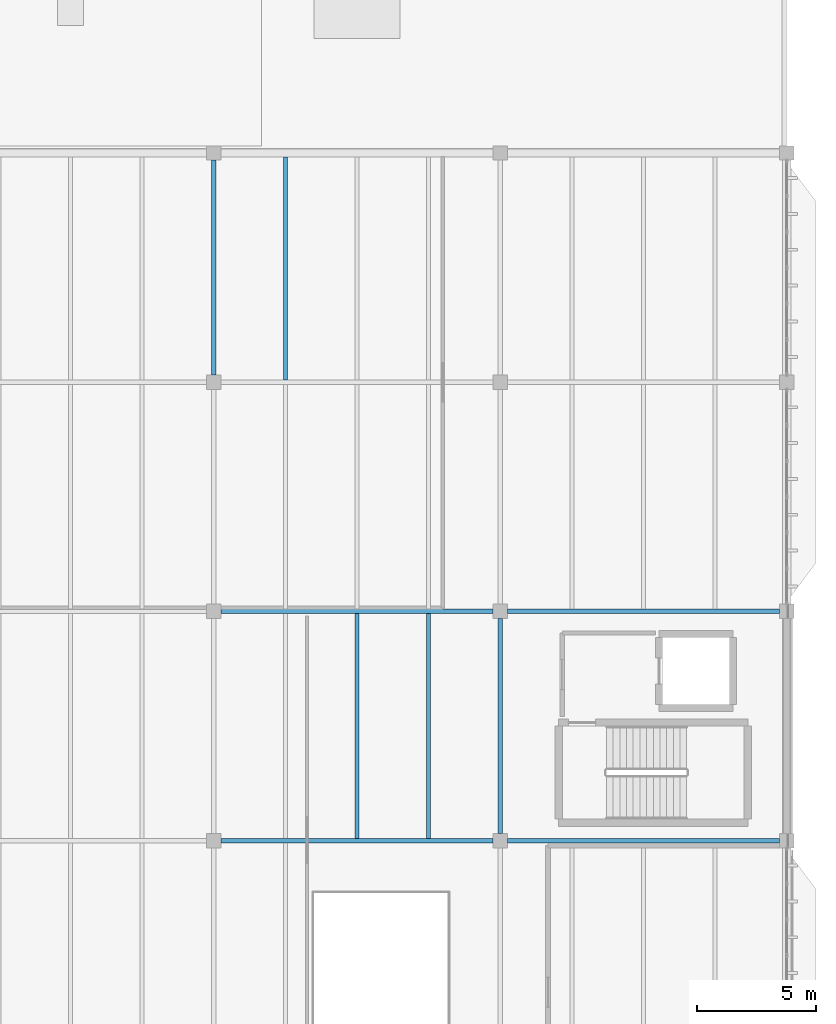
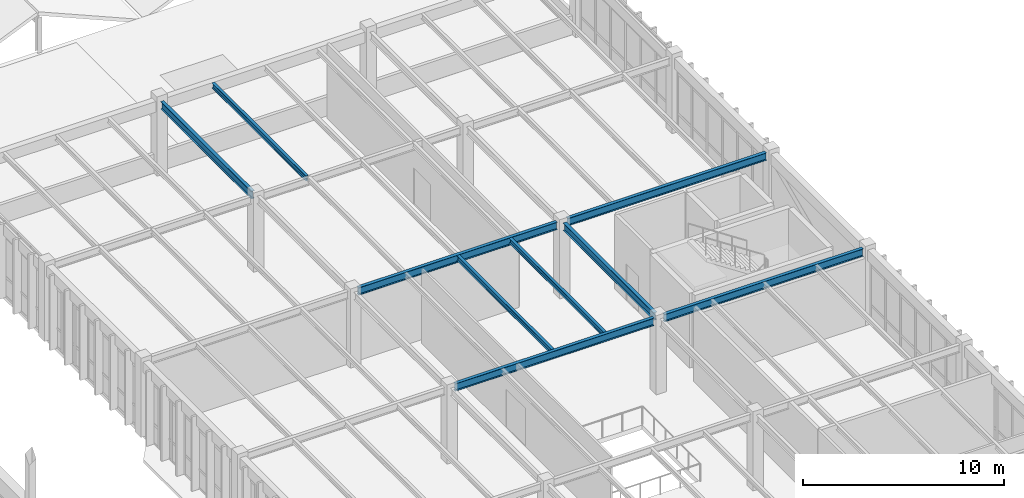
# One storey, part 165 of 236: 9 beams.
"""IFC4 building model written with IfcOpenShell, lengths in metres."""

from ifc_helpers import new_model, si_unit, direction, frame, origin, origin_2d, place, context, subcontext, project, spatial, i_section, extrude, material, material_profile, profile_set, type_object, element, save


model = new_model("IFC4")

# Units and contexts
model_context = context("Model", 3, precision=1e-05, world=origin(), true_north=direction((0.0, 1.0)))
body_context = subcontext(model_context, "Body", "Model", "MODEL_VIEW")
ifc_project = project(units=[si_unit("LENGTHUNIT", "METRE"), si_unit("AREAUNIT", "SQUARE_METRE"), si_unit("VOLUMEUNIT", "CUBIC_METRE"), si_unit("PLANEANGLEUNIT", "RADIAN"), si_unit("MASSUNIT", "GRAM", prefix="KILO")], contexts=[model_context])

# Site, building, storey
site_placement = place(None, origin())
site = spatial("IfcSite", under=ifc_project, at=site_placement, CompositionType="ELEMENT")
building_placement = place(site_placement, origin())
building = spatial("IfcBuilding", under=site, at=building_placement, Name="Pandanus Reach Market Hall", CompositionType="ELEMENT")
storey_placement = place(building_placement, frame((0.0, 0.0, 5.39990234375)))
storey = spatial("IfcBuildingStorey", under=building, at=storey_placement, Name="L01", CompositionType="ELEMENT", Elevation=5.39990234375)

# Beams
ifc_material = material(Name="Steel Grade 350 (350 MPa)", Category="steel")
ifc_material_profile_1 = material_profile(ifc_material, i_section(OverallWidth=0.18994140625, OverallDepth=0.45703125, WebThickness=0.009033203125, FlangeThickness=0.014404296875, at=origin_2d()), Name="460UB74.6", Category="LoadBearing")
ifc_profile_set_1 = profile_set([ifc_material_profile_1], Name="Steel Grade 350 (350 MPa)")
beam_type_1 = type_object("IfcBeamType", Name="BM-UB460-I", PredefinedType="BEAM", material=ifc_profile_set_1)
for number, where, z_axis, x_axis, name in (
    (1, (156.298095703125, 67.199951171875, 4.311279296875), (1.0, 0.0, 0.0), (0.0, 1.0, 0.0), "Framing beam BM-UB460-I L01.325"),
    (2, (168.298095703125, 67.199951171875, 4.311279296875), (1.0, 0.0, 0.0), (0.0, 1.0, 0.0), "Framing beam BM-UB460-I L01.326"),
    (3, (156.298095703125, 76.800048828125, 4.311279296875), (1.0, 0.0, 0.0), (0.0, 1.0, 0.0), "Framing beam BM-UB460-I L01.328"),
    (4, (168.298095703125, 76.800048828125, 4.311279296875), (1.0, 0.0, 0.0), (0.0, 1.0, 0.0), "Framing beam BM-UB460-I L01.329"),
):
    element("IfcBeam", number, at=place(storey_placement, frame(where, z_axis=z_axis, x_axis=x_axis)), inside=storey, type_object=beam_type_1, Name=name, PredefinedType="BEAM", context=body_context, shape_type="SweptSolid", body=[
        extrude(i_section(OverallWidth=0.18994140625, OverallDepth=0.45703125, WebThickness=0.009033203125, FlangeThickness=0.014404296875, at=origin_2d()), origin(), (0.0, 0.0, 1.0), 11.40380859375),
    ])
for number, where, z_axis, x_axis, name in (
    (5, (156.0, 86.697998046875, 4.231201171875), (0.0, 1.0, 0.0), (-1.0, 0.0, 0.0), "Framing beam BM-UB460-I L01.353"),
    (6, (168.0, 67.498046875, 4.311279296875), (0.0, 1.0, 0.0), (-1.0, 0.0, 0.0), "Framing beam BM-UB460-I L01.360"),
):
    element("IfcBeam", number, at=place(storey_placement, frame(where, z_axis=z_axis, x_axis=x_axis)), inside=storey, type_object=beam_type_1, Name=name, PredefinedType="BEAM", context=body_context, shape_type="SweptSolid", body=[
        extrude(i_section(OverallWidth=0.18994140625, OverallDepth=0.45703125, WebThickness=0.009033203125, FlangeThickness=0.014404296875, at=origin_2d()), origin(), (0.0, 0.0, 1.0), 9.00390625),
    ])
ifc_material_profile_2 = material_profile(ifc_material, i_section(OverallWidth=0.166015625, OverallDepth=0.306884765625, WebThickness=0.006591796875, FlangeThickness=0.01171875, at=origin_2d()), Name="310UB46.2", Category="LoadBearing")
ifc_profile_set_2 = profile_set([ifc_material_profile_2], Name="Steel Grade 350 (350 MPa)")
beam_type_2 = type_object("IfcBeamType", Name="JS-UB310H-I", PredefinedType="JOIST", material=ifc_profile_set_2)
for number, where, z_axis, x_axis, name in (
    (7, (162.0, 67.29296875, 4.38623046875), (0.0, 1.0, 0.0), (-1.0, 0.0, 0.0), "Secondary joist JS-UB310H-I L01.408"),
    (8, (165.0, 67.29296875, 4.38623046875), (0.0, 1.0, 0.0), (-1.0, 0.0, 0.0), "Secondary joist JS-UB310H-I L01.409"),
):
    element("IfcBeam", number, at=place(storey_placement, frame(where, z_axis=z_axis, x_axis=x_axis)), inside=storey, type_object=beam_type_2, Name=name, PredefinedType="JOIST", context=body_context, shape_type="SweptSolid", body=[
        extrude(i_section(OverallWidth=0.166015625, OverallDepth=0.306884765625, WebThickness=0.006591796875, FlangeThickness=0.01171875, at=origin_2d()), origin(), (0.0, 0.0, 1.0), 9.4140625),
    ])
beam_placement = place(storey_placement, frame((159.0, 86.492919921875, 4.30615234375), z_axis=(0.0, 1.0, 0.0), x_axis=(-1.0, 0.0, 0.0)))
element("IfcBeam", 9, at=beam_placement, inside=storey, type_object=beam_type_2, Name="Secondary joist JS-UB310H-I L01.413", PredefinedType="JOIST", context=body_context, shape_type="SweptSolid", body=[
    extrude(i_section(OverallWidth=0.166015625, OverallDepth=0.306884765625, WebThickness=0.006591796875, FlangeThickness=0.01171875, at=origin_2d()), origin(), (0.0, 0.0, 1.0), 9.333984375),
])

save(model, "model.ifc")
